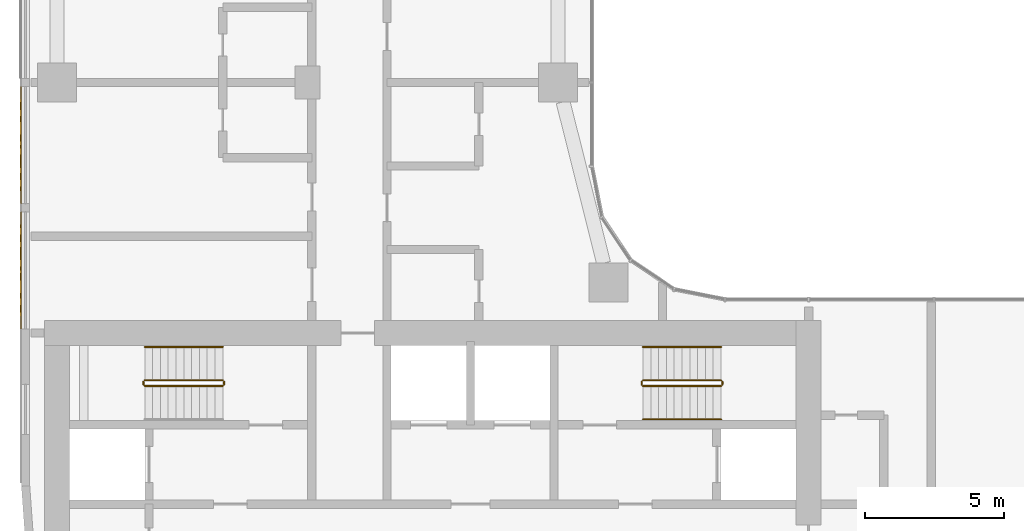
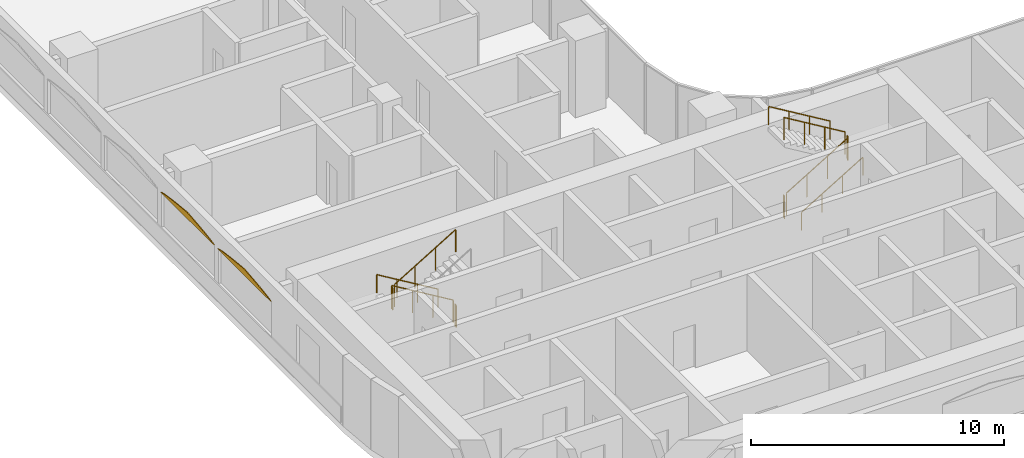
# One storey, part 31 of 36: 11 railings, 2 coverings.
"""IFC4 building model written with IfcOpenShell, lengths in metres."""

import ifcopenshell
import ifcopenshell.guid

model = None  # the IFC model being written
_history = None  # IfcOwnerHistory: only IFC2X3 demands one
_inside = {}  # id of a spatial element -> (the spatial element, [elements in it])
_under = {}  # id of a project, library or spatial element -> (it, [spatial elements below it])
_declared = {}  # id of a project -> (the project, [libraries it declares])
_typed = {}  # id of a type object -> (the type object, [elements of that type])
_made_of = {}  # id of a material, layer set ... -> (it, [elements and type objects made of it])


def new_model(schema):
    """Start an empty IFC model of exactly this schema.

    Asked for "IFC4X3", IfcOpenShell would pick the latest addendum, in which some entities
    have other attributes; the version numbers below select the first issue.
    IFC2X3 requires an IfcOwnerHistory on every rooted entity: one is made here for all.
    """
    global model, _history
    if schema == "IFC4X3":
        model = ifcopenshell.file(schema_version=(4, 3, 0, 0))
    else:
        model = ifcopenshell.file(schema=schema)
    _inside.clear()
    _under.clear()
    _declared.clear()
    _typed.clear()
    _made_of.clear()
    _history = None
    if model.schema == "IFC2X3":
        org = make("IfcOrganization", Name="unknown")
        user = make(
            "IfcPersonAndOrganization",
            ThePerson=make("IfcPerson", FamilyName="unknown"),
            TheOrganization=org,
        )
        app = make(
            "IfcApplication",
            ApplicationDeveloper=org,
            Version="unknown",
            ApplicationFullName="unknown",
            ApplicationIdentifier="unknown",
        )
        _history = make(
            "IfcOwnerHistory",
            OwningUser=user,
            OwningApplication=app,
            ChangeAction="ADDED",
            CreationDate=0,
        )
    return model


def make(cls, **values):
    """One entity of the class cls with the attributes given. An attribute that is None is left unset."""
    return model.create_entity(
        cls, **{name: value for name, value in values.items() if value is not None}
    )


def rooted(cls, **values):
    """An entity with a GlobalId (a new one), such as an element, a storey or a relation."""
    return make(cls, GlobalId=ifcopenshell.guid.new(), OwnerHistory=_history, **values)


def si_unit(unit_type, name, prefix=None):
    """IfcSIUnit, for example si_unit("LENGTHUNIT", "METRE", prefix="MILLI")."""
    return make("IfcSIUnit", UnitType=unit_type, Prefix=prefix, Name=name)


def assignment(units):
    """IfcUnitAssignment: the units of a project."""
    return None if units is None else make("IfcUnitAssignment", Units=units)


def point(xyz):
    """IfcCartesianPoint."""
    return None if xyz is None else make("IfcCartesianPoint", Coordinates=xyz)


def direction(xyz):
    """IfcDirection."""
    return None if xyz is None else make("IfcDirection", DirectionRatios=xyz)


def frame(location, z_axis=None, x_axis=None):
    """IfcAxis2Placement3D, a coordinate frame: its origin and axes. An axis left out is left unset."""
    return make(
        "IfcAxis2Placement3D",
        Location=point(location),
        Axis=direction(z_axis),
        RefDirection=direction(x_axis),
    )


def frame_2d(location, x_axis=None):
    """IfcAxis2Placement2D, a coordinate frame in the plane: its origin and x axis."""
    return make(
        "IfcAxis2Placement2D", Location=point(location), RefDirection=direction(x_axis)
    )


def origin():
    """The frame at (0, 0, 0) with its axes left unset."""
    return frame((0.0, 0.0, 0.0))


def origin_2d():
    """The frame at (0, 0) in the plane with its x axis left unset."""
    return frame_2d((0.0, 0.0))


def place(relative_to, where):
    """IfcLocalPlacement: puts the frame where relative to a parent placement (None: the world)."""
    return make(
        "IfcLocalPlacement", PlacementRelTo=relative_to, RelativePlacement=where
    )


def context(
    kind, dimensions, precision=None, world=None, true_north=None, identifier=None
):
    """IfcGeometricRepresentationContext, for example the 3D "Model" context."""
    return make(
        "IfcGeometricRepresentationContext",
        ContextIdentifier=identifier,
        ContextType=kind,
        CoordinateSpaceDimension=dimensions,
        Precision=precision,
        WorldCoordinateSystem=world,
        TrueNorth=true_north,
    )


def subcontext(parent, identifier, kind, view, scale=None):
    """IfcGeometricRepresentationSubContext, for example "Body" below "Model"."""
    return make(
        "IfcGeometricRepresentationSubContext",
        ContextIdentifier=identifier,
        ContextType=kind,
        ParentContext=parent,
        TargetScale=scale,
        TargetView=view,
    )


def project(units=None, contexts=None):
    """IfcProject with its units and contexts."""
    return rooted(
        "IfcProject",
        Name="project",
        RepresentationContexts=contexts,
        UnitsInContext=assignment(units),
    )


def spatial(cls, under=None, at=None, **own):
    """A site, building, storey or space (cls), placed at a placement, below another one or the project."""
    s = rooted(cls, ObjectPlacement=at, **own)
    if under is not None:
        _under.setdefault(under.id(), (under, []))[1].append(s)
    return s


def polyline(points):
    """IfcPolyline through the points."""
    return make("IfcPolyline", Points=[point(p) for p in points])


def profile(cls, at=None, kind="AREA", **sizes):
    """A parametric profile (cls). Its sizes go by their IFC names, for example OverallWidth=200.0."""
    return make(cls, ProfileType=kind, Position=at, **sizes)


def circle(**sizes):
    """IfcCircleProfileDef."""
    return profile("IfcCircleProfileDef", **sizes)


def outline(outer, holes=None, kind="AREA"):
    """IfcArbitraryClosedProfileDef: a profile drawn as a closed curve; with holes, ...WithVoids."""
    if holes is None:
        return make("IfcArbitraryClosedProfileDef", ProfileType=kind, OuterCurve=outer)
    return make(
        "IfcArbitraryProfileDefWithVoids",
        ProfileType=kind,
        OuterCurve=outer,
        InnerCurves=holes,
    )


def extrude(swept, where, along, depth):
    """IfcExtrudedAreaSolid: the profile swept, set in the frame where, extruded along a direction by depth."""
    return make(
        "IfcExtrudedAreaSolid",
        SweptArea=swept,
        Position=where,
        ExtrudedDirection=direction(along),
        Depth=depth,
    )


def shape(context_of_items, identifier, shape_type, items):
    """IfcShapeRepresentation: the items that make up one representation, for example the "Body"."""
    return make(
        "IfcShapeRepresentation",
        ContextOfItems=context_of_items,
        RepresentationIdentifier=identifier,
        RepresentationType=shape_type,
        Items=items,
    )


def material(Name=None, Category=None):
    """IfcMaterial."""
    return make("IfcMaterial", Name=Name, Category=Category)


def layer(
    of_material, thickness, ventilated=None, Name=None, Category=None, Priority=None
):
    """IfcMaterialLayer: one layer of a wall or slab, of a material (None: an air gap)."""
    return make(
        "IfcMaterialLayer",
        Material=of_material,
        LayerThickness=thickness,
        IsVentilated=ventilated,
        Name=Name,
        Category=Category,
        Priority=Priority,
    )


def layer_set(layers, Name=None):
    """IfcMaterialLayerSet."""
    return make("IfcMaterialLayerSet", MaterialLayers=layers, LayerSetName=Name)


def made_of(thing, what):
    """Note that an element or type object is made of a material, layer set ...; save() writes the relation."""
    if what is not None:
        _made_of.setdefault(what.id(), (what, []))[1].append(thing)
    return thing


def type_object(cls, material=None, **own):
    """A type object (cls), such as IfcWallType, which elements share."""
    return made_of(rooted(cls, **own), material)


def element(
    cls,
    number,
    at=None,
    inside=None,
    cuts=None,
    type_object=None,
    material=None,
    context=None,
    identifier="Body",
    shape_type=None,
    held_by="IfcProductDefinitionShape",
    body=None,
    shapes=None,
    **own,
):
    """One element of the class cls, such as IfcWall. Its Tag is "e" and its number.

    at: its placement. inside: the storey or other place that contains it. cuts: it is an
    opening in that element (IfcRelVoidsElement). A single representation is given by context,
    identifier, shape_type and body (its items); several are given by shapes. held_by: the class
    of the entity that holds the representations. save() writes the other relations.
    """
    e = rooted(cls, Tag="e%d" % number, ObjectPlacement=at, **own)
    if body is not None:
        shapes = [shape(context, identifier, shape_type, body)]
    if shapes is not None:
        e.Representation = make(held_by, Representations=shapes)
    if inside is not None:
        _inside.setdefault(inside.id(), (inside, []))[1].append(e)
    if cuts is not None:
        rooted(
            "IfcRelVoidsElement", RelatingBuildingElement=cuts, RelatedOpeningElement=e
        )
    if type_object is not None:
        _typed.setdefault(type_object.id(), (type_object, []))[1].append(e)
    return made_of(e, material)


def aggregate(whole, parts):
    """IfcRelAggregates: a whole, such as a stair, and the parts it consists of."""
    return rooted("IfcRelAggregates", RelatingObject=whole, RelatedObjects=parts)


def save(model, path):
    """Write the relations noted so far, then the file.

    IfcRelAggregates (storeys below a building ...), IfcRelContainedInSpatialStructure (elements
    in a storey), IfcRelDefinesByType, IfcRelAssociatesMaterial and IfcRelDeclares: one each for
    every whole, place, type object, material and project.
    """
    for whole, parts in _under.values():
        aggregate(whole, parts)
    for where, things in _inside.values():
        rooted(
            "IfcRelContainedInSpatialStructure",
            RelatedElements=things,
            RelatingStructure=where,
        )
    for kind, things in _typed.values():
        rooted("IfcRelDefinesByType", RelatedObjects=things, RelatingType=kind)
    for what, things in _made_of.values():
        rooted("IfcRelAssociatesMaterial", RelatedObjects=things, RelatingMaterial=what)
    for by, libraries in _declared.values():
        rooted("IfcRelDeclares", RelatingContext=by, RelatedDefinitions=libraries)
    model.write(path)


model = new_model("IFC4")

# Units and contexts
model_context = context("Model", 3, precision=1e-05, world=origin(), true_north=direction((0.0, 1.0)))
body_context = subcontext(model_context, "Body", "Model", "MODEL_VIEW")
ifc_project = project(units=[si_unit("LENGTHUNIT", "METRE"), si_unit("AREAUNIT", "SQUARE_METRE"), si_unit("VOLUMEUNIT", "CUBIC_METRE"), si_unit("PLANEANGLEUNIT", "RADIAN"), si_unit("MASSUNIT", "GRAM", prefix="KILO")], contexts=[model_context])

# Site, building, storey
site_placement = place(None, origin())
site = spatial("IfcSite", under=ifc_project, at=site_placement, CompositionType="ELEMENT")
building_placement = place(site_placement, origin())
building = spatial("IfcBuilding", under=site, at=building_placement, Name="Ogive Portal Towers", CompositionType="ELEMENT")
storey_placement = place(building_placement, frame((0.0, 0.0, 48.300048828125)))
storey = spatial("IfcBuildingStorey", under=building, at=storey_placement, Name="L10", CompositionType="ELEMENT", Elevation=48.300048828125)

# Railings
ifc_material_1 = material(Name="Stainless steel balustrade", Category="steel")
railing_type_1 = type_object("IfcRailingType", Name="INT-GUARD", PredefinedType="GUARDRAIL", material=ifc_material_1)
railing_1_placement = place(storey_placement, frame((37.449951171875, 37.800048828125, 0.168212890625)))
element("IfcRailing", 1, at=railing_1_placement, inside=storey, type_object=railing_type_1, Name="L10 ST-A1 stair guard 1", PredefinedType="GUARDRAIL", context=body_context, shape_type="SweptSolid", body=[
    extrude(circle(Radius=0.02392578125, at=origin_2d()), frame((0.0, 0.0, 1.076171875), z_axis=(-0.857275202839, 0.0, 0.514858452973), x_axis=(0.0, -1.0, 0.0)), (0.0, 0.0, 1.0), 3.26611328125),
    extrude(circle(Radius=0.02099609375, at=origin_2d()), origin(), (0.0, 0.0, 1.0), 1.052001953125),
    extrude(circle(Radius=0.02099609375, at=origin_2d()), frame((-0.933349609375, 0.0, 0.560546875)), (0.0, 0.0, 1.0), 1.052001953125),
    extrude(circle(Radius=0.02099609375, at=origin_2d()), frame((-1.86669921875, 0.0, 1.12109375)), (0.0, 0.0, 1.0), 1.052001953125),
    extrude(circle(Radius=0.02099609375, at=origin_2d()), frame((-2.800048828125, 0.0, 1.681640625)), (0.0, 0.0, 1.0), 1.052001953125),
])
railing_2_placement = place(storey_placement, frame((34.60009765625, 37.75, 1.849853515625)))
element("IfcRailing", 2, at=railing_2_placement, inside=storey, type_object=railing_type_1, Name="L10 ST-A1 stair guard 2", PredefinedType="GUARDRAIL", context=body_context, shape_type="SweptSolid", body=[
    extrude(circle(Radius=0.02392578125, at=origin_2d()), frame((0.0, 0.0, 1.076171875), z_axis=(0.0, -1.0, 0.0), x_axis=(1.0, 0.0, 0.0)), (0.0, 0.0, 1.0), 0.10009765625),
    extrude(circle(Radius=0.02099609375, at=origin_2d()), origin(), (0.0, 0.0, 1.0), 1.052001953125),
    extrude(circle(Radius=0.02099609375, at=origin_2d()), frame((0.0, -0.10009765625, 0.0)), (0.0, 0.0, 1.0), 1.052001953125),
])
railing_3_placement = place(storey_placement, frame((34.64990234375, 37.60009765625, 2.01806640625)))
element("IfcRailing", 3, at=railing_3_placement, inside=storey, type_object=railing_type_1, Name="L10 ST-A1 stair guard 3", PredefinedType="GUARDRAIL", context=body_context, shape_type="SweptSolid", body=[
    extrude(circle(Radius=0.02392578125, at=origin_2d()), frame((0.0, 0.0, 1.076171875), z_axis=(0.857242210791, 0.0, 0.514913383045), x_axis=(0.0, 1.0, 0.0)), (0.0, 0.0, 1.0), 3.266357421875),
    extrude(circle(Radius=0.02099609375, at=origin_2d()), origin(), (0.0, 0.0, 1.0), 1.052001953125),
    extrude(circle(Radius=0.02099609375, at=origin_2d()), frame((0.933349609375, 0.0, 0.560546875)), (0.0, 0.0, 1.0), 1.052001953125),
    extrude(circle(Radius=0.02099609375, at=origin_2d()), frame((1.86669921875, 0.0, 1.121337890625)), (0.0, 0.0, 1.0), 1.052001953125),
    extrude(circle(Radius=0.02099609375, at=origin_2d()), frame((2.800048828125, 0.0, 1.681884765625)), (0.0, 0.0, 1.0), 1.052001953125),
])
railing_4_placement = place(storey_placement, frame((37.5, 37.75, 0.0)))
element("IfcRailing", 4, at=railing_4_placement, inside=storey, type_object=railing_type_1, Name="L10 ST-A1 stair guard 4", PredefinedType="GUARDRAIL", context=body_context, shape_type="SweptSolid", body=[
    extrude(circle(Radius=0.02392578125, at=origin_2d()), frame((0.0, 0.0, 1.076171875), z_axis=(0.0, -1.0, 0.0), x_axis=(1.0, 0.0, 0.0)), (0.0, 0.0, 1.0), 0.10009765625),
    extrude(circle(Radius=0.02099609375, at=origin_2d()), origin(), (0.0, 0.0, 1.0), 1.052001953125),
    extrude(circle(Radius=0.02099609375, at=origin_2d()), frame((0.0, -0.10009765625, 0.0)), (0.0, 0.0, 1.0), 1.052001953125),
])
railing_5_placement = place(storey_placement, frame((52.550048828125, 37.60009765625, 0.168212890625)))
element("IfcRailing", 5, at=railing_5_placement, inside=storey, type_object=railing_type_1, Name="L10 ST-A2 stair guard 1", PredefinedType="GUARDRAIL", context=body_context, shape_type="SweptSolid", body=[
    extrude(circle(Radius=0.02392578125, at=origin_2d()), frame((0.0, 0.0, 1.076171875), z_axis=(0.857275202839, 0.0, 0.514858452973), x_axis=(0.0, 1.0, 0.0)), (0.0, 0.0, 1.0), 3.26611328125),
    extrude(circle(Radius=0.02099609375, at=origin_2d()), origin(), (0.0, 0.0, 1.0), 1.052001953125),
    extrude(circle(Radius=0.02099609375, at=origin_2d()), frame((0.933349609375, 0.0, 0.560546875)), (0.0, 0.0, 1.0), 1.052001953125),
    extrude(circle(Radius=0.02099609375, at=origin_2d()), frame((1.86669921875, 0.0, 1.12109375)), (0.0, 0.0, 1.0), 1.052001953125),
    extrude(circle(Radius=0.02099609375, at=origin_2d()), frame((2.800048828125, 0.0, 1.681640625)), (0.0, 0.0, 1.0), 1.052001953125),
])
railing_6_placement = place(storey_placement, frame((55.39990234375, 37.64990234375, 1.849853515625)))
element("IfcRailing", 6, at=railing_6_placement, inside=storey, type_object=railing_type_1, Name="L10 ST-A2 stair guard 2", PredefinedType="GUARDRAIL", context=body_context, shape_type="SweptSolid", body=[
    extrude(circle(Radius=0.02392578125, at=origin_2d()), frame((0.0, 0.0, 1.076171875), z_axis=(0.0, 1.0, 0.0), x_axis=(-1.0, 0.0, 0.0)), (0.0, 0.0, 1.0), 0.10009765625),
    extrude(circle(Radius=0.02099609375, at=origin_2d()), origin(), (0.0, 0.0, 1.0), 1.052001953125),
    extrude(circle(Radius=0.02099609375, at=origin_2d()), frame((0.0, 0.10009765625, 0.0)), (0.0, 0.0, 1.0), 1.052001953125),
])
railing_7_placement = place(storey_placement, frame((55.35009765625, 37.800048828125, 2.01806640625)))
element("IfcRailing", 7, at=railing_7_placement, inside=storey, type_object=railing_type_1, Name="L10 ST-A2 stair guard 3", PredefinedType="GUARDRAIL", context=body_context, shape_type="SweptSolid", body=[
    extrude(circle(Radius=0.02392578125, at=origin_2d()), frame((0.0, 0.0, 1.076171875), z_axis=(-0.857242210791, 0.0, 0.514913383045), x_axis=(0.0, -1.0, 0.0)), (0.0, 0.0, 1.0), 3.266357421875),
    extrude(circle(Radius=0.02099609375, at=origin_2d()), origin(), (0.0, 0.0, 1.0), 1.052001953125),
    extrude(circle(Radius=0.02099609375, at=origin_2d()), frame((-0.933349609375, 0.0, 0.560546875)), (0.0, 0.0, 1.0), 1.052001953125),
    extrude(circle(Radius=0.02099609375, at=origin_2d()), frame((-1.86669921875, 0.0, 1.121337890625)), (0.0, 0.0, 1.0), 1.052001953125),
    extrude(circle(Radius=0.02099609375, at=origin_2d()), frame((-2.800048828125, 0.0, 1.681884765625)), (0.0, 0.0, 1.0), 1.052001953125),
])
railing_8_placement = place(storey_placement, frame((52.5, 37.64990234375, 0.0)))
element("IfcRailing", 8, at=railing_8_placement, inside=storey, type_object=railing_type_1, Name="L10 ST-A2 stair guard 4", PredefinedType="GUARDRAIL", context=body_context, shape_type="SweptSolid", body=[
    extrude(circle(Radius=0.02392578125, at=origin_2d()), frame((0.0, 0.0, 1.076171875), z_axis=(0.0, 1.0, 0.0), x_axis=(-1.0, 0.0, 0.0)), (0.0, 0.0, 1.0), 0.10009765625),
    extrude(circle(Radius=0.02099609375, at=origin_2d()), origin(), (0.0, 0.0, 1.0), 1.052001953125),
    extrude(circle(Radius=0.02099609375, at=origin_2d()), frame((0.0, 0.10009765625, 0.0)), (0.0, 0.0, 1.0), 1.052001953125),
])
ifc_material_2 = material(Name="Stainless steel handrail", Category="steel")
railing_type_2 = type_object("IfcRailingType", Name="INT-HANDRAIL", PredefinedType="HANDRAIL", material=ifc_material_2)
railing_9_placement = place(storey_placement, frame((37.449951171875, 39.0, 0.168212890625)))
element("IfcRailing", 9, at=railing_9_placement, inside=storey, type_object=railing_type_2, Name="L10 ST-A1 stair handrail 1", PredefinedType="HANDRAIL", context=body_context, shape_type="SweptSolid", body=[
    extrude(circle(Radius=0.02392578125, at=origin_2d()), frame((0.0, 0.0, 0.8759765625), z_axis=(-0.857275202839, 0.0, 0.514858452973), x_axis=(0.0, -1.0, 0.0)), (0.0, 0.0, 1.0), 3.26611328125),
    extrude(circle(Radius=0.02099609375, at=origin_2d()), origin(), (0.0, 0.0, 1.0), 0.851806640625),
    extrude(circle(Radius=0.02099609375, at=origin_2d()), frame((-0.933349609375, 0.0, 0.560546875)), (0.0, 0.0, 1.0), 0.851806640625),
    extrude(circle(Radius=0.02099609375, at=origin_2d()), frame((-1.86669921875, 0.0, 1.12109375)), (0.0, 0.0, 1.0), 0.851806640625),
    extrude(circle(Radius=0.02099609375, at=origin_2d()), frame((-2.800048828125, 0.0, 1.681640625)), (0.0, 0.0, 1.0), 0.851806640625),
])
railing_10_placement = place(storey_placement, frame((52.550048828125, 36.39990234375, 0.168212890625)))
element("IfcRailing", 10, at=railing_10_placement, inside=storey, type_object=railing_type_2, Name="L10 ST-A2 stair handrail 1", PredefinedType="HANDRAIL", context=body_context, shape_type="SweptSolid", body=[
    extrude(circle(Radius=0.02392578125, at=origin_2d()), frame((0.0, 0.0, 0.8759765625), z_axis=(0.857275202839, 0.0, 0.514858452973), x_axis=(0.0, 1.0, 0.0)), (0.0, 0.0, 1.0), 3.26611328125),
    extrude(circle(Radius=0.02099609375, at=origin_2d()), origin(), (0.0, 0.0, 1.0), 0.851806640625),
    extrude(circle(Radius=0.02099609375, at=origin_2d()), frame((0.933349609375, 0.0, 0.560546875)), (0.0, 0.0, 1.0), 0.851806640625),
    extrude(circle(Radius=0.02099609375, at=origin_2d()), frame((1.86669921875, 0.0, 1.12109375)), (0.0, 0.0, 1.0), 0.851806640625),
    extrude(circle(Radius=0.02099609375, at=origin_2d()), frame((2.800048828125, 0.0, 1.681640625)), (0.0, 0.0, 1.0), 0.851806640625),
])
railing_11_placement = place(storey_placement, frame((55.35009765625, 39.0, 2.01806640625)))
element("IfcRailing", 11, at=railing_11_placement, inside=storey, type_object=railing_type_2, Name="L10 ST-A2 stair handrail 2", PredefinedType="HANDRAIL", context=body_context, shape_type="SweptSolid", body=[
    extrude(circle(Radius=0.02392578125, at=origin_2d()), frame((0.0, 0.0, 0.8759765625), z_axis=(-0.857242210791, 0.0, 0.514913383045), x_axis=(0.0, -1.0, 0.0)), (0.0, 0.0, 1.0), 3.266357421875),
    extrude(circle(Radius=0.02099609375, at=origin_2d()), origin(), (0.0, 0.0, 1.0), 0.851806640625),
    extrude(circle(Radius=0.02099609375, at=origin_2d()), frame((-0.933349609375, 0.0, 0.560546875)), (0.0, 0.0, 1.0), 0.851806640625),
    extrude(circle(Radius=0.02099609375, at=origin_2d()), frame((-1.86669921875, 0.0, 1.121337890625)), (0.0, 0.0, 1.0), 0.851806640625),
    extrude(circle(Radius=0.02099609375, at=origin_2d()), frame((-2.800048828125, 0.0, 1.681884765625)), (0.0, 0.0, 1.0), 0.851806640625),
])

# Coverings
ifc_material_3 = material(Name="Limestone cladding on lightweight block wall", Category="masonry")
ifc_layer = layer(ifc_material_3, 0.0400390625)
ifc_layer_set = layer_set([ifc_layer], Name="LANCET HEAD STONE")
covering_type = type_object("IfcCoveringType", Name="LANCET HEAD STONE", PredefinedType="CLADDING", material=ifc_layer_set)
for number, where, z_axis, x_axis, name in (
    (12, (30.215087890625, 48.35009765625, 2.599853515625), (0.999943573838, 0.0, 0.010623047596), (0.0, -1.0, 0.0), "Lancet head"),
    (13, (30.215087890625, 43.85009765625, 2.599853515625), (0.999943573838, 0.0, 0.010623047596), (0.0, -1.0, 0.0), "Lancet head"),
):
    element("IfcCovering", number, at=place(storey_placement, frame(where, z_axis=z_axis, x_axis=x_axis)), inside=storey, type_object=covering_type, Name=name, PredefinedType="CLADDING", context=body_context, shape_type="SweptSolid", body=[
        extrude(outline(polyline([(0.0, 0.0), (4.2001953125, 0.0), (4.107177734375, -0.03760072179351402), (3.9375, -0.07519885006954846), (3.7177734375, -0.11255544501398096), (3.45751953125, -0.150156166807495), (3.162353515625, -0.1875101682344479), (2.836181640625, -0.22511089002796192), (2.481201171875, -0.2627090183039964), (2.10009765625, -0.3000656132484289), (1.718994140625, -0.2627090183039964), (1.364013671875, -0.22511089002796192), (1.037841796875, -0.1875101682344479), (0.74267578125, -0.150156166807495), (0.482421875, -0.11255544501398096), (0.2626953125, -0.07519885006954846), (0.093017578125, -0.03760072179351402), (0.0, 0.0)])), origin(), (0.0, 0.0, -1.0), 0.0400390625),
    ])

save(model, "model.ifc")
